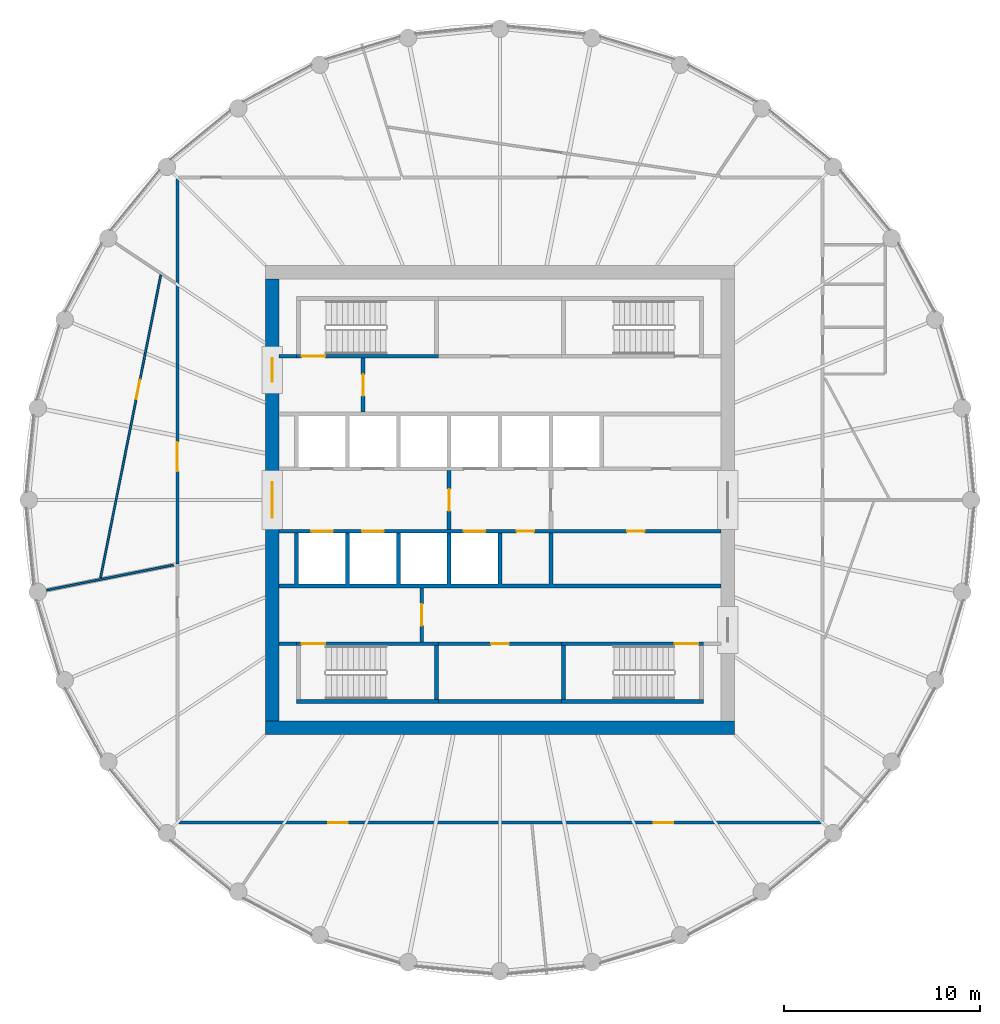
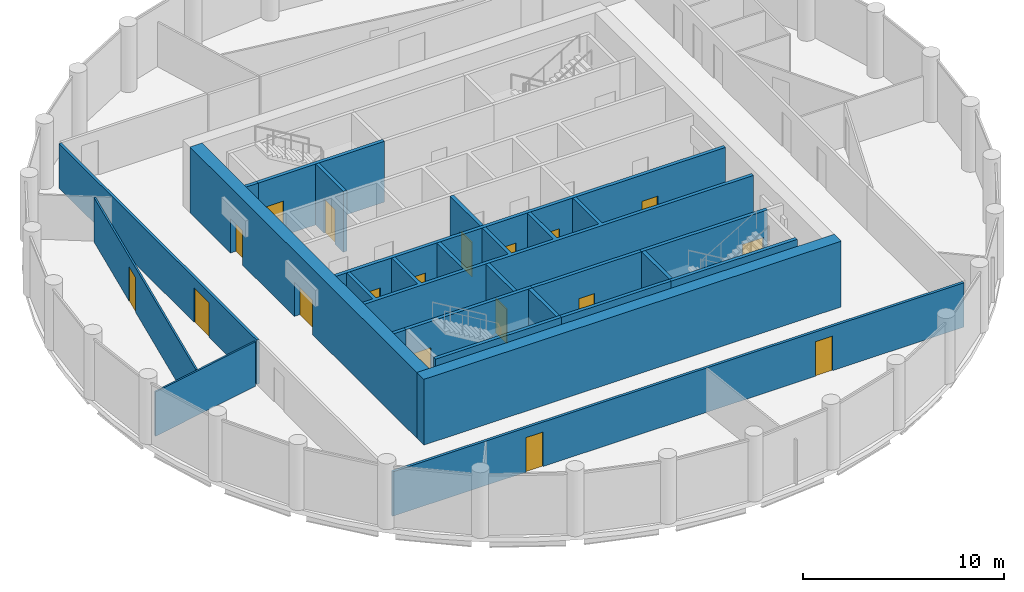
# One storey, part 4 of 7: 22 walls, 18 doors, 18 openings.
"""IFC4 building model written with IfcOpenShell, lengths in metres."""

import ifcopenshell
import ifcopenshell.guid

model = None  # the IFC model being written
_history = None  # IfcOwnerHistory: only IFC2X3 demands one
_inside = {}  # id of a spatial element -> (the spatial element, [elements in it])
_under = {}  # id of a project, library or spatial element -> (it, [spatial elements below it])
_declared = {}  # id of a project -> (the project, [libraries it declares])
_typed = {}  # id of a type object -> (the type object, [elements of that type])
_made_of = {}  # id of a material, layer set ... -> (it, [elements and type objects made of it])


def new_model(schema):
    """Start an empty IFC model of exactly this schema.

    Asked for "IFC4X3", IfcOpenShell would pick the latest addendum, in which some entities
    have other attributes; the version numbers below select the first issue.
    IFC2X3 requires an IfcOwnerHistory on every rooted entity: one is made here for all.
    """
    global model, _history
    if schema == "IFC4X3":
        model = ifcopenshell.file(schema_version=(4, 3, 0, 0))
    else:
        model = ifcopenshell.file(schema=schema)
    _inside.clear()
    _under.clear()
    _declared.clear()
    _typed.clear()
    _made_of.clear()
    _history = None
    if model.schema == "IFC2X3":
        org = make("IfcOrganization", Name="unknown")
        user = make(
            "IfcPersonAndOrganization",
            ThePerson=make("IfcPerson", FamilyName="unknown"),
            TheOrganization=org,
        )
        app = make(
            "IfcApplication",
            ApplicationDeveloper=org,
            Version="unknown",
            ApplicationFullName="unknown",
            ApplicationIdentifier="unknown",
        )
        _history = make(
            "IfcOwnerHistory",
            OwningUser=user,
            OwningApplication=app,
            ChangeAction="ADDED",
            CreationDate=0,
        )
    return model


def make(cls, **values):
    """One entity of the class cls with the attributes given. An attribute that is None is left unset."""
    return model.create_entity(
        cls, **{name: value for name, value in values.items() if value is not None}
    )


def rooted(cls, **values):
    """An entity with a GlobalId (a new one), such as an element, a storey or a relation."""
    return make(cls, GlobalId=ifcopenshell.guid.new(), OwnerHistory=_history, **values)


def si_unit(unit_type, name, prefix=None):
    """IfcSIUnit, for example si_unit("LENGTHUNIT", "METRE", prefix="MILLI")."""
    return make("IfcSIUnit", UnitType=unit_type, Prefix=prefix, Name=name)


def assignment(units):
    """IfcUnitAssignment: the units of a project."""
    return None if units is None else make("IfcUnitAssignment", Units=units)


def point(xyz):
    """IfcCartesianPoint."""
    return None if xyz is None else make("IfcCartesianPoint", Coordinates=xyz)


def direction(xyz):
    """IfcDirection."""
    return None if xyz is None else make("IfcDirection", DirectionRatios=xyz)


def frame(location, z_axis=None, x_axis=None):
    """IfcAxis2Placement3D, a coordinate frame: its origin and axes. An axis left out is left unset."""
    return make(
        "IfcAxis2Placement3D",
        Location=point(location),
        Axis=direction(z_axis),
        RefDirection=direction(x_axis),
    )


def frame_2d(location, x_axis=None):
    """IfcAxis2Placement2D, a coordinate frame in the plane: its origin and x axis."""
    return make(
        "IfcAxis2Placement2D", Location=point(location), RefDirection=direction(x_axis)
    )


def origin():
    """The frame at (0, 0, 0) with its axes left unset."""
    return frame((0.0, 0.0, 0.0))


def place(relative_to, where):
    """IfcLocalPlacement: puts the frame where relative to a parent placement (None: the world)."""
    return make(
        "IfcLocalPlacement", PlacementRelTo=relative_to, RelativePlacement=where
    )


def context(
    kind, dimensions, precision=None, world=None, true_north=None, identifier=None
):
    """IfcGeometricRepresentationContext, for example the 3D "Model" context."""
    return make(
        "IfcGeometricRepresentationContext",
        ContextIdentifier=identifier,
        ContextType=kind,
        CoordinateSpaceDimension=dimensions,
        Precision=precision,
        WorldCoordinateSystem=world,
        TrueNorth=true_north,
    )


def subcontext(parent, identifier, kind, view, scale=None):
    """IfcGeometricRepresentationSubContext, for example "Body" below "Model"."""
    return make(
        "IfcGeometricRepresentationSubContext",
        ContextIdentifier=identifier,
        ContextType=kind,
        ParentContext=parent,
        TargetScale=scale,
        TargetView=view,
    )


def project(units=None, contexts=None):
    """IfcProject with its units and contexts."""
    return rooted(
        "IfcProject",
        Name="project",
        RepresentationContexts=contexts,
        UnitsInContext=assignment(units),
    )


def spatial(cls, under=None, at=None, **own):
    """A site, building, storey or space (cls), placed at a placement, below another one or the project."""
    s = rooted(cls, ObjectPlacement=at, **own)
    if under is not None:
        _under.setdefault(under.id(), (under, []))[1].append(s)
    return s


def polyline(points):
    """IfcPolyline through the points."""
    return make("IfcPolyline", Points=[point(p) for p in points])


def profile(cls, at=None, kind="AREA", **sizes):
    """A parametric profile (cls). Its sizes go by their IFC names, for example OverallWidth=200.0."""
    return make(cls, ProfileType=kind, Position=at, **sizes)


def rectangle(**sizes):
    """IfcRectangleProfileDef."""
    return profile("IfcRectangleProfileDef", **sizes)


def outline(outer, holes=None, kind="AREA"):
    """IfcArbitraryClosedProfileDef: a profile drawn as a closed curve; with holes, ...WithVoids."""
    if holes is None:
        return make("IfcArbitraryClosedProfileDef", ProfileType=kind, OuterCurve=outer)
    return make(
        "IfcArbitraryProfileDefWithVoids",
        ProfileType=kind,
        OuterCurve=outer,
        InnerCurves=holes,
    )


def extrude(swept, where, along, depth):
    """IfcExtrudedAreaSolid: the profile swept, set in the frame where, extruded along a direction by depth."""
    return make(
        "IfcExtrudedAreaSolid",
        SweptArea=swept,
        Position=where,
        ExtrudedDirection=direction(along),
        Depth=depth,
    )


def shape(context_of_items, identifier, shape_type, items):
    """IfcShapeRepresentation: the items that make up one representation, for example the "Body"."""
    return make(
        "IfcShapeRepresentation",
        ContextOfItems=context_of_items,
        RepresentationIdentifier=identifier,
        RepresentationType=shape_type,
        Items=items,
    )


def material(Name=None, Category=None):
    """IfcMaterial."""
    return make("IfcMaterial", Name=Name, Category=Category)


def layer(
    of_material, thickness, ventilated=None, Name=None, Category=None, Priority=None
):
    """IfcMaterialLayer: one layer of a wall or slab, of a material (None: an air gap)."""
    return make(
        "IfcMaterialLayer",
        Material=of_material,
        LayerThickness=thickness,
        IsVentilated=ventilated,
        Name=Name,
        Category=Category,
        Priority=Priority,
    )


def layer_set(layers, Name=None):
    """IfcMaterialLayerSet."""
    return make("IfcMaterialLayerSet", MaterialLayers=layers, LayerSetName=Name)


def made_of(thing, what):
    """Note that an element or type object is made of a material, layer set ...; save() writes the relation."""
    if what is not None:
        _made_of.setdefault(what.id(), (what, []))[1].append(thing)
    return thing


def type_object(cls, material=None, **own):
    """A type object (cls), such as IfcWallType, which elements share."""
    return made_of(rooted(cls, **own), material)


def element(
    cls,
    number,
    at=None,
    inside=None,
    cuts=None,
    type_object=None,
    material=None,
    context=None,
    identifier="Body",
    shape_type=None,
    held_by="IfcProductDefinitionShape",
    body=None,
    shapes=None,
    **own,
):
    """One element of the class cls, such as IfcWall. Its Tag is "e" and its number.

    at: its placement. inside: the storey or other place that contains it. cuts: it is an
    opening in that element (IfcRelVoidsElement). A single representation is given by context,
    identifier, shape_type and body (its items); several are given by shapes. held_by: the class
    of the entity that holds the representations. save() writes the other relations.
    """
    e = rooted(cls, Tag="e%d" % number, ObjectPlacement=at, **own)
    if body is not None:
        shapes = [shape(context, identifier, shape_type, body)]
    if shapes is not None:
        e.Representation = make(held_by, Representations=shapes)
    if inside is not None:
        _inside.setdefault(inside.id(), (inside, []))[1].append(e)
    if cuts is not None:
        rooted(
            "IfcRelVoidsElement", RelatingBuildingElement=cuts, RelatedOpeningElement=e
        )
    if type_object is not None:
        _typed.setdefault(type_object.id(), (type_object, []))[1].append(e)
    return made_of(e, material)


def fill(opening, filler):
    """IfcRelFillsElement: the door or window that sits in an opening."""
    return rooted(
        "IfcRelFillsElement",
        RelatingOpeningElement=opening,
        RelatedBuildingElement=filler,
    )


def aggregate(whole, parts):
    """IfcRelAggregates: a whole, such as a stair, and the parts it consists of."""
    return rooted("IfcRelAggregates", RelatingObject=whole, RelatedObjects=parts)


def save(model, path):
    """Write the relations noted so far, then the file.

    IfcRelAggregates (storeys below a building ...), IfcRelContainedInSpatialStructure (elements
    in a storey), IfcRelDefinesByType, IfcRelAssociatesMaterial and IfcRelDeclares: one each for
    every whole, place, type object, material and project.
    """
    for whole, parts in _under.values():
        aggregate(whole, parts)
    for where, things in _inside.values():
        rooted(
            "IfcRelContainedInSpatialStructure",
            RelatedElements=things,
            RelatingStructure=where,
        )
    for kind, things in _typed.values():
        rooted("IfcRelDefinesByType", RelatedObjects=things, RelatingType=kind)
    for what, things in _made_of.values():
        rooted("IfcRelAssociatesMaterial", RelatedObjects=things, RelatingMaterial=what)
    for by, libraries in _declared.values():
        rooted("IfcRelDeclares", RelatingContext=by, RelatedDefinitions=libraries)
    model.write(path)


model = new_model("IFC4")

# Units and contexts
model_context = context("Model", 3, precision=1e-05, world=origin(), true_north=direction((0.0, 1.0)))
body_context = subcontext(model_context, "Body", "Model", "MODEL_VIEW")
ifc_project = project(units=[si_unit("LENGTHUNIT", "METRE"), si_unit("AREAUNIT", "SQUARE_METRE"), si_unit("VOLUMEUNIT", "CUBIC_METRE"), si_unit("PLANEANGLEUNIT", "RADIAN"), si_unit("MASSUNIT", "GRAM", prefix="KILO")], contexts=[model_context])

# Site, building, storey
site_placement = place(None, origin())
site = spatial("IfcSite", under=ifc_project, at=site_placement, CompositionType="ELEMENT")
building_placement = place(site_placement, origin())
building = spatial("IfcBuilding", under=site, at=building_placement, Name="Corvane Civic Tower", CompositionType="ELEMENT")
storey_placement = place(building_placement, frame((0.0, 0.0, 287.0)))
storey = spatial("IfcBuildingStorey", under=building, at=storey_placement, Name="L68", CompositionType="ELEMENT", Elevation=287.0)

# Wall
ifc_material_1 = material(Name="Concrete C40/50", Category="concrete")
ifc_layer_1 = layer(ifc_material_1, 0.699951171875)
ifc_layer_set_1 = layer_set([ifc_layer_1], Name="Concrete C40/50")
wall_type_1 = type_object("IfcWallType", Name="CORE WALL 700 C40/50", PredefinedType="SHEAR", material=ifc_layer_set_1)
wall_1_placement = place(storey_placement, frame((-12.0, -11.64990234375, 0.0), z_axis=(0.0, 0.0, 1.0), x_axis=(1.0, 0.0, 0.0)))
element("IfcWall", 1, at=wall_1_placement, inside=storey, type_object=wall_type_1, Name="W-L68-core-S", PredefinedType="SHEAR", context=body_context, shape_type="SweptSolid", body=[
    extrude(rectangle(XDim=24.0, YDim=0.699951171875, at=frame_2d((12.0, 0.0))), origin(), (0.0, 0.0, 1.0), 4.0),
])

# Wall, openings, doors
wall_2_placement = place(storey_placement, frame((-11.64990234375, -11.300048828125, 0.0), z_axis=(0.0, 0.0, 1.0), x_axis=(0.0, 1.0, 0.0)))
wall_2 = element("IfcWall", 2, at=wall_2_placement, inside=storey, type_object=wall_type_1, Name="W-L68-core-W", PredefinedType="SHEAR", context=body_context, shape_type="SweptSolid", body=[
    extrude(rectangle(XDim=22.60009765625, YDim=0.699951171875, at=frame_2d((11.300048828125, 0.0))), origin(), (0.0, 0.0, 1.0), 4.0),
])
opening_1_placement = place(wall_2_placement, frame((10.39990234375, 0.0, 0.0)))
opening_1 = element("IfcOpeningElement", 3, at=opening_1_placement, cuts=wall_2, Name="Opening L68.C14", PredefinedType="OPENING", context=body_context, shape_type="SweptSolid", body=[
    extrude(rectangle(XDim=1.800048828125, YDim=2.10009765625, at=frame_2d((0.89990234375, 1.050048828125))), frame((0.0, 0.35986328125, 0.0), z_axis=(0.0, -1.0, 0.0), x_axis=(1.0, 0.0, 0.0)), (0.0, 0.0, 1.0), 0.719970703125),
])
opening_2_placement = place(wall_2_placement, frame((17.35009765625, 0.0, 0.0)))
opening_2 = element("IfcOpeningElement", 4, at=opening_2_placement, cuts=wall_2, Name="Opening L68.C16", PredefinedType="OPENING", context=body_context, shape_type="SweptSolid", body=[
    extrude(rectangle(XDim=1.199951171875, YDim=2.10009765625, at=frame_2d((0.60009765625, 1.050048828125))), frame((0.0, 0.35986328125, 0.0), z_axis=(0.0, -1.0, 0.0), x_axis=(1.0, 0.0, 0.0)), (0.0, 0.0, 1.0), 0.719970703125),
])
ifc_material_2 = material(Name="Steel fire door leaf", Category="steel")
door_type_1 = type_object("IfcDoorType", Name="CR-DOOR-CORE-1800", OperationType="DOUBLE_DOOR_SINGLE_SWING", PredefinedType="DOOR", material=ifc_material_2)
door_1_placement = place(opening_1_placement, origin())
door_1 = element("IfcDoor", 5, at=door_1_placement, inside=storey, type_object=door_type_1, Name="L68 door", OperationType="DOUBLE_DOOR_SINGLE_SWING", OverallHeight=2.10009765625, OverallWidth=1.800048828125, PredefinedType="DOOR", context=body_context, shape_type="SweptSolid", body=[
    extrude(rectangle(XDim=1.800048828125, YDim=2.10009765625, at=frame_2d((0.89990234375, 1.050048828125))), frame((0.0, 0.02490234375, 0.0), z_axis=(0.0, -1.0, 0.0), x_axis=(1.0, 0.0, 0.0)), (0.0, 0.0, 1.0), 0.050048828125),
])
fill(opening_1, door_1)
door_2_placement = place(opening_2_placement, origin())
door_2 = element("IfcDoor", 6, at=door_2_placement, inside=storey, type_object=door_type_1, Name="L68 door", OperationType="DOUBLE_DOOR_SINGLE_SWING", OverallHeight=2.10009765625, OverallWidth=1.199951171875, PredefinedType="DOOR", context=body_context, shape_type="SweptSolid", body=[
    extrude(rectangle(XDim=1.199951171875, YDim=2.10009765625, at=frame_2d((0.60009765625, 1.050048828125))), frame((0.0, 0.02490234375, 0.0), z_axis=(0.0, -1.0, 0.0), x_axis=(1.0, 0.0, 0.0)), (0.0, 0.0, 1.0), 0.050048828125),
])
fill(opening_2, door_2)

# Wall, opening, door
ifc_material_3 = material(Name="Concrete C30/37", Category="concrete")
ifc_layer_2 = layer(ifc_material_3, 0.199951171875)
ifc_layer_set_2 = layer_set([ifc_layer_2], Name="Concrete C30/37")
wall_type_2 = type_object("IfcWallType", Name="CR-WALL-200", PredefinedType="PARTITIONING", material=ifc_layer_set_2)
wall_3_placement = place(storey_placement, frame((-3.14990234375, -7.35009765625, 0.0), z_axis=(0.0, 0.0, 1.0), x_axis=(1.0, 0.0, 0.0)))
wall_3 = element("IfcWall", 7, at=wall_3_placement, inside=storey, type_object=wall_type_2, Name="L68 core partition wall", PredefinedType="PARTITIONING", context=body_context, shape_type="SweptSolid", body=[
    extrude(rectangle(XDim=6.2998046875, YDim=0.199951171875, at=frame_2d((3.14990234375, 0.0))), origin(), (0.0, 0.0, 1.0), 3.699951171875),
])
opening_3_placement = place(wall_3_placement, frame((2.699951171875, 0.0, 0.0)))
opening_3 = element("IfcOpeningElement", 8, at=opening_3_placement, cuts=wall_3, Name="Opening L68.C05", PredefinedType="OPENING", context=body_context, shape_type="SweptSolid", body=[
    extrude(rectangle(XDim=0.89990234375, YDim=2.10009765625, at=frame_2d((0.449951171875, 1.050048828125))), frame((0.0, 0.10986328125, 0.0), z_axis=(0.0, -1.0, 0.0), x_axis=(1.0, 0.0, 0.0)), (0.0, 0.0, 1.0), 0.219970703125),
])
ifc_material_4 = material(Name="Steel fire door leaf", Category="steel")
door_type_2 = type_object("IfcDoorType", Name="CR-DOOR-900", OperationType="SINGLE_SWING_LEFT", PredefinedType="DOOR", material=ifc_material_4)
door_3_placement = place(opening_3_placement, origin())
door_3 = element("IfcDoor", 9, at=door_3_placement, inside=storey, type_object=door_type_2, Name="L68 door", OperationType="SINGLE_SWING_LEFT", OverallHeight=2.10009765625, OverallWidth=0.89990234375, PredefinedType="DOOR", context=body_context, shape_type="SweptSolid", body=[
    extrude(rectangle(XDim=0.89990234375, YDim=2.10009765625, at=frame_2d((0.449951171875, 1.050048828125))), frame((0.0, 0.02490234375, 0.0), z_axis=(0.0, -1.0, 0.0), x_axis=(1.0, 0.0, 0.0)), (0.0, 0.0, 1.0), 0.050048828125),
])
fill(opening_3, door_3)

# Wall, openings, doors
wall_4_placement = place(storey_placement, frame((-11.300048828125, -1.60009765625, 0.0), z_axis=(0.0, 0.0, 1.0), x_axis=(1.0, 0.0, 0.0)))
wall_4 = element("IfcWall", 10, at=wall_4_placement, inside=storey, type_object=wall_type_2, Name="L68 lift shaft wall", PredefinedType="PARTITIONING", context=body_context, shape_type="SweptSolid", body=[
    extrude(rectangle(XDim=22.60009765625, YDim=0.199951171875, at=frame_2d((11.300048828125, 0.0))), origin(), (0.0, 0.0, 1.0), 3.699951171875),
])
opening_4_placement = place(wall_4_placement, frame((1.64990234375, 0.0, 0.0)))
opening_4 = element("IfcOpeningElement", 11, at=opening_4_placement, cuts=wall_4, Name="Opening LD", PredefinedType="OPENING", context=body_context, shape_type="SweptSolid", body=[
    extrude(rectangle(XDim=1.10009765625, YDim=2.10009765625, at=frame_2d((0.550048828125, 1.050048828125))), frame((0.0, 0.10986328125, 0.0), z_axis=(0.0, -1.0, 0.0), x_axis=(1.0, 0.0, 0.0)), (0.0, 0.0, 1.0), 0.219970703125),
])
opening_5_placement = place(wall_4_placement, frame((4.25, 0.0, 0.0)))
opening_5 = element("IfcOpeningElement", 12, at=opening_5_placement, cuts=wall_4, Name="Opening LD", PredefinedType="OPENING", context=body_context, shape_type="SweptSolid", body=[
    extrude(rectangle(XDim=1.10009765625, YDim=2.10009765625, at=frame_2d((0.550048828125, 1.050048828125))), frame((0.0, 0.10986328125, 0.0), z_axis=(0.0, -1.0, 0.0), x_axis=(1.0, 0.0, 0.0)), (0.0, 0.0, 1.0), 0.219970703125),
])
opening_6_placement = place(wall_4_placement, frame((9.449951171875, 0.0, 0.0)))
opening_6 = element("IfcOpeningElement", 13, at=opening_6_placement, cuts=wall_4, Name="Opening LD", PredefinedType="OPENING", context=body_context, shape_type="SweptSolid", body=[
    extrude(rectangle(XDim=1.10009765625, YDim=2.10009765625, at=frame_2d((0.550048828125, 1.050048828125))), frame((0.0, 0.10986328125, 0.0), z_axis=(0.0, -1.0, 0.0), x_axis=(1.0, 0.0, 0.0)), (0.0, 0.0, 1.0), 0.219970703125),
])
opening_7_placement = place(wall_4_placement, frame((12.14990234375, 0.0, 0.0)))
opening_7 = element("IfcOpeningElement", 14, at=opening_7_placement, cuts=wall_4, Name="Opening L68.C02", PredefinedType="OPENING", context=body_context, shape_type="SweptSolid", body=[
    extrude(rectangle(XDim=0.89990234375, YDim=2.10009765625, at=frame_2d((0.449951171875, 1.050048828125))), frame((0.0, 0.10986328125, 0.0), z_axis=(0.0, -1.0, 0.0), x_axis=(1.0, 0.0, 0.0)), (0.0, 0.0, 1.0), 0.219970703125),
])
opening_8_placement = place(wall_4_placement, frame((17.800048828125, 0.0, 0.0)))
opening_8 = element("IfcOpeningElement", 15, at=opening_8_placement, cuts=wall_4, Name="Opening L68.C03", PredefinedType="OPENING", context=body_context, shape_type="SweptSolid", body=[
    extrude(rectangle(XDim=0.89990234375, YDim=2.10009765625, at=frame_2d((0.449951171875, 1.050048828125))), frame((0.0, 0.10986328125, 0.0), z_axis=(0.0, -1.0, 0.0), x_axis=(1.0, 0.0, 0.0)), (0.0, 0.0, 1.0), 0.219970703125),
])
door_4_placement = place(opening_7_placement, origin())
door_4 = element("IfcDoor", 16, at=door_4_placement, inside=storey, type_object=door_type_2, Name="L68 door", OperationType="SINGLE_SWING_LEFT", OverallHeight=2.10009765625, OverallWidth=0.89990234375, PredefinedType="DOOR", context=body_context, shape_type="SweptSolid", body=[
    extrude(rectangle(XDim=0.89990234375, YDim=2.10009765625, at=frame_2d((0.449951171875, 1.050048828125))), frame((0.0, 0.02490234375, 0.0), z_axis=(0.0, -1.0, 0.0), x_axis=(1.0, 0.0, 0.0)), (0.0, 0.0, 1.0), 0.050048828125),
])
fill(opening_7, door_4)
door_5_placement = place(opening_8_placement, origin())
door_5 = element("IfcDoor", 17, at=door_5_placement, inside=storey, type_object=door_type_2, Name="L68 door", OperationType="SINGLE_SWING_LEFT", OverallHeight=2.10009765625, OverallWidth=0.89990234375, PredefinedType="DOOR", context=body_context, shape_type="SweptSolid", body=[
    extrude(rectangle(XDim=0.89990234375, YDim=2.10009765625, at=frame_2d((0.449951171875, 1.050048828125))), frame((0.0, 0.02490234375, 0.0), z_axis=(0.0, -1.0, 0.0), x_axis=(1.0, 0.0, 0.0)), (0.0, 0.0, 1.0), 0.050048828125),
])
fill(opening_8, door_5)
ifc_material_5 = material(Name="Stainless steel 316 door leaves", Category="steel")
door_type_3 = type_object("IfcDoorType", Name="LD", OperationType="DOUBLE_DOOR_SLIDING", PredefinedType="DOOR", material=ifc_material_5)
door_6_placement = place(opening_4_placement, origin())
door_6 = element("IfcDoor", 18, at=door_6_placement, inside=storey, type_object=door_type_3, Name="L68 landing door", OperationType="DOUBLE_DOOR_SLIDING", OverallHeight=2.10009765625, OverallWidth=1.10009765625, PredefinedType="DOOR", context=body_context, shape_type="SweptSolid", body=[
    extrude(rectangle(XDim=1.10009765625, YDim=2.10009765625, at=frame_2d((0.550048828125, 1.050048828125))), frame((0.0, 0.02490234375, 0.0), z_axis=(0.0, -1.0, 0.0), x_axis=(1.0, 0.0, 0.0)), (0.0, 0.0, 1.0), 0.050048828125),
])
fill(opening_4, door_6)
door_7_placement = place(opening_5_placement, origin())
door_7 = element("IfcDoor", 19, at=door_7_placement, inside=storey, type_object=door_type_3, Name="L68 landing door", OperationType="DOUBLE_DOOR_SLIDING", OverallHeight=2.10009765625, OverallWidth=1.10009765625, PredefinedType="DOOR", context=body_context, shape_type="SweptSolid", body=[
    extrude(rectangle(XDim=1.10009765625, YDim=2.10009765625, at=frame_2d((0.550048828125, 1.050048828125))), frame((0.0, 0.02490234375, 0.0), z_axis=(0.0, -1.0, 0.0), x_axis=(1.0, 0.0, 0.0)), (0.0, 0.0, 1.0), 0.050048828125),
])
fill(opening_5, door_7)
door_8_placement = place(opening_6_placement, origin())
door_8 = element("IfcDoor", 20, at=door_8_placement, inside=storey, type_object=door_type_3, Name="L68 landing door", OperationType="DOUBLE_DOOR_SLIDING", OverallHeight=2.10009765625, OverallWidth=1.10009765625, PredefinedType="DOOR", context=body_context, shape_type="SweptSolid", body=[
    extrude(rectangle(XDim=1.10009765625, YDim=2.10009765625, at=frame_2d((0.550048828125, 1.050048828125))), frame((0.0, 0.02490234375, 0.0), z_axis=(0.0, -1.0, 0.0), x_axis=(1.0, 0.0, 0.0)), (0.0, 0.0, 1.0), 0.050048828125),
])
fill(opening_6, door_8)

# Wall, opening, door
wall_5_placement = place(storey_placement, frame((-7.0, 4.5, 0.0), z_axis=(0.0, 0.0, 1.0), x_axis=(0.0, 1.0, 0.0)))
wall_5 = element("IfcWall", 21, at=wall_5_placement, inside=storey, type_object=wall_type_2, Name="L68 core partition wall", PredefinedType="PARTITIONING", context=body_context, shape_type="SweptSolid", body=[
    extrude(rectangle(XDim=2.75, YDim=0.199951171875, at=frame_2d((1.375, 0.0))), origin(), (0.0, 0.0, 1.0), 3.699951171875),
])
opening_9_placement = place(wall_5_placement, frame((0.824951171875, 0.0, 0.0)))
opening_9 = element("IfcOpeningElement", 22, at=opening_9_placement, cuts=wall_5, Name="Opening L68.C12", PredefinedType="OPENING", context=body_context, shape_type="SweptSolid", body=[
    extrude(rectangle(XDim=1.10009765625, YDim=2.10009765625, at=frame_2d((0.550048828125, 1.050048828125))), frame((0.0, 0.10986328125, 0.0), z_axis=(0.0, -1.0, 0.0), x_axis=(1.0, 0.0, 0.0)), (0.0, 0.0, 1.0), 0.219970703125),
])
ifc_material_6 = material(Name="Steel fire door leaf", Category="steel")
door_type_4 = type_object("IfcDoorType", Name="CR-DOOR-FFL-1100", OperationType="SINGLE_SWING_LEFT", PredefinedType="DOOR", material=ifc_material_6)
door_9_placement = place(opening_9_placement, origin())
door_9 = element("IfcDoor", 23, at=door_9_placement, inside=storey, type_object=door_type_4, Name="L68 lobby door", OperationType="SINGLE_SWING_LEFT", OverallHeight=2.10009765625, OverallWidth=1.10009765625, PredefinedType="DOOR", context=body_context, shape_type="SweptSolid", body=[
    extrude(rectangle(XDim=1.10009765625, YDim=2.10009765625, at=frame_2d((0.550048828125, 1.050048828125))), frame((0.0, 0.02490234375, 0.0), z_axis=(0.0, -1.0, 0.0), x_axis=(1.0, 0.0, 0.0)), (0.0, 0.0, 1.0), 0.050048828125),
])
fill(opening_9, door_9)

wall_6_placement = place(storey_placement, frame((-4.0, -7.25, 0.0), z_axis=(0.0, 0.0, 1.0), x_axis=(0.0, 1.0, 0.0)))
wall_6 = element("IfcWall", 24, at=wall_6_placement, inside=storey, type_object=wall_type_2, Name="L68 core partition wall", PredefinedType="PARTITIONING", context=body_context, shape_type="SweptSolid", body=[
    extrude(rectangle(XDim=2.75, YDim=0.199951171875, at=frame_2d((1.375, 0.0))), origin(), (0.0, 0.0, 1.0), 3.699951171875),
])
opening_10_placement = place(wall_6_placement, frame((0.824951171875, 0.0, 0.0)))
opening_10 = element("IfcOpeningElement", 25, at=opening_10_placement, cuts=wall_6, Name="Opening L68.C13", PredefinedType="OPENING", context=body_context, shape_type="SweptSolid", body=[
    extrude(rectangle(XDim=1.10009765625, YDim=2.10009765625, at=frame_2d((0.550048828125, 1.050048828125))), frame((0.0, 0.10986328125, 0.0), z_axis=(0.0, -1.0, 0.0), x_axis=(1.0, 0.0, 0.0)), (0.0, 0.0, 1.0), 0.219970703125),
])
door_10_placement = place(opening_10_placement, origin())
door_10 = element("IfcDoor", 26, at=door_10_placement, inside=storey, type_object=door_type_4, Name="L68 lobby door", OperationType="SINGLE_SWING_LEFT", OverallHeight=2.10009765625, OverallWidth=1.10009765625, PredefinedType="DOOR", context=body_context, shape_type="SweptSolid", body=[
    extrude(rectangle(XDim=1.10009765625, YDim=2.10009765625, at=frame_2d((0.550048828125, 1.050048828125))), frame((0.0, 0.02490234375, 0.0), z_axis=(0.0, -1.0, 0.0), x_axis=(1.0, 0.0, 0.0)), (0.0, 0.0, 1.0), 0.050048828125),
])
fill(opening_10, door_10)

wall_7_placement = place(storey_placement, frame((-2.60009765625, -1.5, 0.0), z_axis=(0.0, 0.0, 1.0), x_axis=(0.0, 1.0, 0.0)))
wall_7 = element("IfcWall", 27, at=wall_7_placement, inside=storey, type_object=wall_type_2, Name="L68 firefighting lobby wall", PredefinedType="PARTITIONING", context=body_context, shape_type="SweptSolid", body=[
    extrude(rectangle(XDim=3.0, YDim=0.199951171875, at=frame_2d((1.5, 0.0))), origin(), (0.0, 0.0, 1.0), 3.699951171875),
])
opening_11_placement = place(wall_7_placement, frame((0.949951171875, 0.0, 0.0)))
opening_11 = element("IfcOpeningElement", 28, at=opening_11_placement, cuts=wall_7, Name="Opening L68.C10", PredefinedType="OPENING", context=body_context, shape_type="SweptSolid", body=[
    extrude(rectangle(XDim=1.10009765625, YDim=2.10009765625, at=frame_2d((0.550048828125, 1.050048828125))), frame((0.0, 0.10986328125, 0.0), z_axis=(0.0, -1.0, 0.0), x_axis=(1.0, 0.0, 0.0)), (0.0, 0.0, 1.0), 0.219970703125),
])
door_11_placement = place(opening_11_placement, origin())
door_11 = element("IfcDoor", 29, at=door_11_placement, inside=storey, type_object=door_type_4, Name="L68 lobby door", OperationType="SINGLE_SWING_LEFT", OverallHeight=2.10009765625, OverallWidth=1.10009765625, PredefinedType="DOOR", context=body_context, shape_type="SweptSolid", body=[
    extrude(rectangle(XDim=1.10009765625, YDim=2.10009765625, at=frame_2d((0.550048828125, 1.050048828125))), frame((0.0, 0.02490234375, 0.0), z_axis=(0.0, -1.0, 0.0), x_axis=(1.0, 0.0, 0.0)), (0.0, 0.0, 1.0), 0.050048828125),
])
fill(opening_11, door_11)

# Walls
wall_8_placement = place(storey_placement, origin())
element("IfcWall", 30, at=wall_8_placement, inside=storey, type_object=wall_type_2, Name="L68 core partition wall", PredefinedType="PARTITIONING", context=body_context, shape_type="SweptSolid", body=[
    extrude(outline(polyline([(-10.39990234375, -7.25), (-10.39990234375, -7.449951171875), (-11.300048828125, -7.449951171875), (-11.300048828125, -7.25), (-10.39990234375, -7.25)])), origin(), (0.0, 0.0, 1.0), 3.699951171875),
])
wall_9_placement = place(storey_placement, origin())
element("IfcWall", 31, at=wall_9_placement, inside=storey, type_object=wall_type_2, Name="L68 core partition wall", PredefinedType="PARTITIONING", context=body_context, shape_type="SweptSolid", body=[
    extrude(outline(polyline([(-10.39990234375, 7.25), (-11.300048828125, 7.25), (-11.300048828125, 7.449951171875), (-10.39990234375, 7.449951171875), (-10.39990234375, 7.25)])), origin(), (0.0, 0.0, 1.0), 3.699951171875),
])
wall_10_placement = place(storey_placement, origin())
element("IfcWall", 32, at=wall_10_placement, inside=storey, type_object=wall_type_2, Name="L68 core partition wall", PredefinedType="PARTITIONING", context=body_context, shape_type="SweptSolid", body=[
    extrude(outline(polyline([(-10.300048828125, -1.699951171875), (-10.300048828125, -4.300048828125), (-7.89990234375, -4.300048828125), (-7.89990234375, -1.699951171875), (-7.699951171875, -1.699951171875), (-7.699951171875, -4.300048828125), (-5.300048828125, -4.300048828125), (-5.300048828125, -1.699951171875), (-5.10009765625, -1.699951171875), (-5.10009765625, -4.300048828125), (-2.699951171875, -4.300048828125), (-2.699951171875, -1.699951171875), (-2.5, -1.699951171875), (-2.5, -4.300048828125), (-0.10009765625, -4.300048828125), (-0.10009765625, -1.699951171875), (0.10009765625, -1.699951171875), (0.10009765625, -4.300048828125), (2.5, -4.300048828125), (2.5, -1.699951171875), (2.699951171875, -1.699951171875), (2.699951171875, -4.300048828125), (11.300048828125, -4.300048828125), (11.300048828125, -4.5), (-11.300048828125, -4.5), (-11.300048828125, -4.300048828125), (-10.5, -4.300048828125), (-10.5, -1.699951171875), (-10.300048828125, -1.699951171875)])), origin(), (0.0, 0.0, 1.0), 3.699951171875),
])
wall_11_placement = place(storey_placement, origin())
element("IfcWall", 33, at=wall_11_placement, inside=storey, type_object=wall_type_2, Name="L68 core partition wall", PredefinedType="PARTITIONING", context=body_context, shape_type="SweptSolid", body=[
    extrude(outline(polyline([(3.14990234375, -10.199951171875), (3.14990234375, -10.39990234375), (-3.14990234375, -10.39990234375), (-3.14990234375, -10.199951171875), (3.14990234375, -10.199951171875)])), origin(), (0.0, 0.0, 1.0), 3.699951171875),
])
ifc_material_7 = material(Name="Plasterboard")
ifc_layer_3 = layer(ifc_material_7, 0.10009765625)
ifc_layer_set_3 = layer_set([ifc_layer_3], Name="Plasterboard")
wall_type_3 = type_object("IfcWallType", Name="Partition 100 plasterboard on studs", PredefinedType="PARTITIONING", material=ifc_layer_set_3)
wall_12_placement = place(storey_placement, frame((-23.185791015625, -4.61181640625, 0.0), z_axis=(0.0, 0.0, 1.0), x_axis=(0.980788963847, 0.195071803181, 0.0)))
element("IfcWall", 34, at=wall_12_placement, inside=storey, type_object=wall_type_3, Name="Partition L68.009", PredefinedType="PARTITIONING", context=body_context, shape_type="SweptSolid", body=[
    extrude(rectangle(XDim=6.609375, YDim=0.10009765625, at=frame_2d((3.3046875, 0.0))), origin(), (0.0, 0.0, 1.0), 2.699951171875),
])

# Wall, opening, door
wall_13_placement = place(storey_placement, frame((-20.430908203125, -3.993408203125, 0.0), z_axis=(0.0, 0.0, 1.0), x_axis=(0.195094157793, 0.980784517412, 0.0)))
wall_13 = element("IfcWall", 35, at=wall_13_placement, inside=storey, type_object=wall_type_3, Name="Partition L68.010", PredefinedType="PARTITIONING", context=body_context, shape_type="SweptSolid", body=[
    extrude(rectangle(XDim=15.80517578125, YDim=0.10009765625, at=frame_2d((7.902587890625, 0.0))), origin(), (0.0, 0.0, 1.0), 2.699951171875),
])
opening_12_placement = place(wall_13_placement, frame((9.340576171875, 0.0, 0.0)))
opening_12 = element("IfcOpeningElement", 36, at=opening_12_placement, cuts=wall_13, Name="Opening L68.011", PredefinedType="OPENING", context=body_context, shape_type="SweptSolid", body=[
    extrude(rectangle(XDim=1.0, YDim=2.10009765625, at=frame_2d((0.5, 1.050048828125))), frame((0.0, 0.06005859375, 0.0), z_axis=(0.0, -1.0, 0.0), x_axis=(1.0, 0.0, 0.0)), (0.0, 0.0, 1.0), 0.1201171875),
])
ifc_material_8 = material(Name="Timber", Category="wood")
door_type_5 = type_object("IfcDoorType", Name="Single door 1000", OperationType="NOTDEFINED", PredefinedType="DOOR", material=ifc_material_8)
door_12_placement = place(opening_12_placement, origin())
door_12 = element("IfcDoor", 37, at=door_12_placement, inside=storey, type_object=door_type_5, Name="Door L68.011", OperationType="SINGLE_SWING_LEFT", OverallHeight=2.10009765625, OverallWidth=1.0, PredefinedType="DOOR", context=body_context, shape_type="SweptSolid", body=[
    extrude(rectangle(XDim=1.0, YDim=2.10009765625, at=frame_2d((0.5, 1.050048828125))), frame((0.0, 0.02490234375, 0.0), z_axis=(0.0, -1.0, 0.0), x_axis=(1.0, 0.0, 0.0)), (0.0, 0.0, 1.0), 0.050048828125),
])
fill(opening_12, door_12)

ifc_material_9 = material(Name="Concrete C50/60", Category="concrete")
ifc_layer_4 = layer(ifc_material_9, 0.199951171875)
ifc_layer_set_4 = layer_set([ifc_layer_4], Name="Concrete C50/60")
wall_type_4 = type_object("IfcWallType", Name="ST-WALL-200", PredefinedType="SHEAR", material=ifc_layer_set_4)
wall_14_placement = place(storey_placement, frame((-10.39990234375, -7.35009765625, 0.0), z_axis=(0.0, 0.0, 1.0), x_axis=(1.0, 0.0, 0.0)))
wall_14 = element("IfcWall", 38, at=wall_14_placement, inside=storey, type_object=wall_type_4, Name="L68 stair enclosure wall", PredefinedType="SHEAR", context=body_context, shape_type="SweptSolid", body=[
    extrude(rectangle(XDim=7.25, YDim=0.199951171875, at=frame_2d((3.625, 0.0))), origin(), (0.0, 0.0, 1.0), 3.699951171875),
])
opening_13_placement = place(wall_14_placement, frame((0.25, 0.0, 0.0)))
opening_13 = element("IfcOpeningElement", 39, at=opening_13_placement, cuts=wall_14, Name="Opening L68.C09", PredefinedType="OPENING", context=body_context, shape_type="SweptSolid", body=[
    extrude(rectangle(XDim=1.199951171875, YDim=2.10009765625, at=frame_2d((0.60009765625, 1.050048828125))), frame((0.0, 0.10986328125, 0.0), z_axis=(0.0, -1.0, 0.0), x_axis=(1.0, 0.0, 0.0)), (0.0, 0.0, 1.0), 0.219970703125),
])
ifc_material_10 = material(Name="Steel fire door leaf", Category="steel")
door_type_6 = type_object("IfcDoorType", Name="ST-DOOR-1200", OperationType="SINGLE_SWING_RIGHT", PredefinedType="DOOR", material=ifc_material_10)
door_13_placement = place(opening_13_placement, origin())
door_13 = element("IfcDoor", 40, at=door_13_placement, inside=storey, type_object=door_type_6, Name="L68 stair door", OperationType="SINGLE_SWING_RIGHT", OverallHeight=2.10009765625, OverallWidth=1.199951171875, PredefinedType="DOOR", context=body_context, shape_type="SweptSolid", body=[
    extrude(rectangle(XDim=1.199951171875, YDim=2.10009765625, at=frame_2d((0.60009765625, 1.050048828125))), frame((0.0, 0.02490234375, 0.0), z_axis=(0.0, -1.0, 0.0), x_axis=(1.0, 0.0, 0.0)), (0.0, 0.0, 1.0), 0.050048828125),
])
fill(opening_13, door_13)

wall_15_placement = place(storey_placement, frame((3.14990234375, -7.35009765625, 0.0), z_axis=(0.0, 0.0, 1.0), x_axis=(1.0, 0.0, 0.0)))
wall_15 = element("IfcWall", 41, at=wall_15_placement, inside=storey, type_object=wall_type_4, Name="L68 stair enclosure wall", PredefinedType="SHEAR", context=body_context, shape_type="SweptSolid", body=[
    extrude(rectangle(XDim=7.25, YDim=0.199951171875, at=frame_2d((3.625, 0.0))), origin(), (0.0, 0.0, 1.0), 3.699951171875),
])
opening_14_placement = place(wall_15_placement, frame((5.800048828125, 0.0, 0.0)))
opening_14 = element("IfcOpeningElement", 42, at=opening_14_placement, cuts=wall_15, Name="Opening L68.C08", PredefinedType="OPENING", context=body_context, shape_type="SweptSolid", body=[
    extrude(rectangle(XDim=1.199951171875, YDim=2.10009765625, at=frame_2d((0.60009765625, 1.050048828125))), frame((0.0, 0.10986328125, 0.0), z_axis=(0.0, -1.0, 0.0), x_axis=(1.0, 0.0, 0.0)), (0.0, 0.0, 1.0), 0.219970703125),
])
door_14_placement = place(opening_14_placement, origin())
door_14 = element("IfcDoor", 43, at=door_14_placement, inside=storey, type_object=door_type_6, Name="L68 stair door", OperationType="SINGLE_SWING_RIGHT", OverallHeight=2.10009765625, OverallWidth=1.199951171875, PredefinedType="DOOR", context=body_context, shape_type="SweptSolid", body=[
    extrude(rectangle(XDim=1.199951171875, YDim=2.10009765625, at=frame_2d((0.60009765625, 1.050048828125))), frame((0.0, 0.02490234375, 0.0), z_axis=(0.0, -1.0, 0.0), x_axis=(1.0, 0.0, 0.0)), (0.0, 0.0, 1.0), 0.050048828125),
])
fill(opening_14, door_14)

wall_16_placement = place(storey_placement, frame((-10.39990234375, 7.35009765625, 0.0), z_axis=(0.0, 0.0, 1.0), x_axis=(1.0, 0.0, 0.0)))
wall_16 = element("IfcWall", 44, at=wall_16_placement, inside=storey, type_object=wall_type_4, Name="L68 stair enclosure wall", PredefinedType="SHEAR", context=body_context, shape_type="SweptSolid", body=[
    extrude(rectangle(XDim=7.25, YDim=0.199951171875, at=frame_2d((3.625, 0.0))), origin(), (0.0, 0.0, 1.0), 3.699951171875),
])
opening_15_placement = place(wall_16_placement, frame((0.25, 0.0, 0.0)))
opening_15 = element("IfcOpeningElement", 45, at=opening_15_placement, cuts=wall_16, Name="Opening L68.C07", PredefinedType="OPENING", context=body_context, shape_type="SweptSolid", body=[
    extrude(rectangle(XDim=1.199951171875, YDim=2.10009765625, at=frame_2d((0.60009765625, 1.050048828125))), frame((0.0, 0.10986328125, 0.0), z_axis=(0.0, -1.0, 0.0), x_axis=(1.0, 0.0, 0.0)), (0.0, 0.0, 1.0), 0.219970703125),
])
door_15_placement = place(opening_15_placement, origin())
door_15 = element("IfcDoor", 46, at=door_15_placement, inside=storey, type_object=door_type_6, Name="L68 stair door", OperationType="SINGLE_SWING_RIGHT", OverallHeight=2.10009765625, OverallWidth=1.199951171875, PredefinedType="DOOR", context=body_context, shape_type="SweptSolid", body=[
    extrude(rectangle(XDim=1.199951171875, YDim=2.10009765625, at=frame_2d((0.60009765625, 1.050048828125))), frame((0.0, 0.02490234375, 0.0), z_axis=(0.0, -1.0, 0.0), x_axis=(1.0, 0.0, 0.0)), (0.0, 0.0, 1.0), 0.050048828125),
])
fill(opening_15, door_15)

# Walls
wall_17_placement = place(storey_placement, origin())
element("IfcWall", 47, at=wall_17_placement, inside=storey, type_object=wall_type_4, Name="L68 stair enclosure wall", PredefinedType="SHEAR", context=body_context, shape_type="SweptSolid", body=[
    extrude(outline(polyline([(-3.14990234375, -10.199951171875), (-3.14990234375, -10.39990234375), (-10.39990234375, -10.39990234375), (-10.39990234375, -10.199951171875), (-3.14990234375, -10.199951171875)])), origin(), (0.0, 0.0, 1.0), 3.699951171875),
])
wall_18_placement = place(storey_placement, origin())
element("IfcWall", 48, at=wall_18_placement, inside=storey, type_object=wall_type_4, Name="L68 stair enclosure wall", PredefinedType="SHEAR", context=body_context, shape_type="SweptSolid", body=[
    extrude(outline(polyline([(10.39990234375, -10.39990234375), (3.14990234375, -10.39990234375), (3.14990234375, -10.199951171875), (10.39990234375, -10.199951171875), (10.39990234375, -10.39990234375)])), origin(), (0.0, 0.0, 1.0), 3.699951171875),
])
wall_19_placement = place(storey_placement, origin())
element("IfcWall", 49, at=wall_19_placement, inside=storey, type_object=wall_type_4, Name="L68 stair enclosure wall", PredefinedType="SHEAR", context=body_context, shape_type="SweptSolid", body=[
    extrude(outline(polyline([(-3.14990234375, -7.449951171875), (-3.14990234375, -10.199951171875), (-3.35009765625, -10.199951171875), (-3.35009765625, -7.449951171875), (-3.14990234375, -7.449951171875)])), origin(), (0.0, 0.0, 1.0), 3.699951171875),
])
wall_20_placement = place(storey_placement, origin())
element("IfcWall", 50, at=wall_20_placement, inside=storey, type_object=wall_type_4, Name="L68 stair enclosure wall", PredefinedType="SHEAR", context=body_context, shape_type="SweptSolid", body=[
    extrude(outline(polyline([(3.35009765625, -7.449951171875), (3.35009765625, -10.199951171875), (3.14990234375, -10.199951171875), (3.14990234375, -7.449951171875), (3.35009765625, -7.449951171875)])), origin(), (0.0, 0.0, 1.0), 3.699951171875),
])

# Wall, openings, doors
ifc_material_11 = material(Name="Plasterboard")
ifc_layer_5 = layer(ifc_material_11, 0.14990234375)
ifc_layer_set_5 = layer_set([ifc_layer_5], Name="Plasterboard")
wall_type_5 = type_object("IfcWallType", Name="Tenancy wall 150 EI 60", PredefinedType="PARTITIONING", material=ifc_layer_set_5)
wall_21_placement = place(storey_placement, frame((-16.425048828125, -16.5, 0.0), z_axis=(0.0, 0.0, 1.0), x_axis=(1.0, 0.0, 0.0)))
wall_21 = element("IfcWall", 51, at=wall_21_placement, inside=storey, type_object=wall_type_5, Name="Partition L68.003", PredefinedType="PARTITIONING", context=body_context, shape_type="SweptSolid", body=[
    extrude(rectangle(XDim=32.85009765625, YDim=0.14990234375, at=frame_2d((16.425048828125, 0.0))), origin(), (0.0, 0.0, 1.0), 2.699951171875),
])
opening_16_placement = place(wall_21_placement, frame((24.291748046875, 0.0, 0.0)))
opening_16 = element("IfcOpeningElement", 52, at=opening_16_placement, cuts=wall_21, Name="Opening L68.008", PredefinedType="OPENING", context=body_context, shape_type="SweptSolid", body=[
    extrude(rectangle(XDim=1.0, YDim=2.10009765625, at=frame_2d((0.5, 1.050048828125))), frame((0.0, 0.0849609375, 0.0), z_axis=(0.0, -1.0, 0.0), x_axis=(1.0, 0.0, 0.0)), (0.0, 0.0, 1.0), 0.169921875),
])
opening_17_placement = place(wall_21_placement, frame((7.647705078125, 0.0, 0.0)))
opening_17 = element("IfcOpeningElement", 53, at=opening_17_placement, cuts=wall_21, Name="Opening L68.009", PredefinedType="OPENING", context=body_context, shape_type="SweptSolid", body=[
    extrude(rectangle(XDim=1.0, YDim=2.10009765625, at=frame_2d((0.5, 1.050048828125))), frame((0.0, 0.0849609375, 0.0), z_axis=(0.0, -1.0, 0.0), x_axis=(1.0, 0.0, 0.0)), (0.0, 0.0, 1.0), 0.169921875),
])
ifc_material_12 = material(Name="Steel and timber", Category="steel")
door_type_7 = type_object("IfcDoorType", Name="Fire door FD30S 1000", OperationType="NOTDEFINED", PredefinedType="DOOR", material=ifc_material_12)
door_16_placement = place(opening_16_placement, frame((1.0, 0.0, 0.0), z_axis=(0.0, 0.0, 1.0), x_axis=(-1.0, 0.0, 0.0)))
door_16 = element("IfcDoor", 54, at=door_16_placement, inside=storey, type_object=door_type_7, Name="Door L68.008", OperationType="SINGLE_SWING_LEFT", OverallHeight=2.10009765625, OverallWidth=1.0, PredefinedType="DOOR", context=body_context, shape_type="SweptSolid", body=[
    extrude(rectangle(XDim=1.0, YDim=2.10009765625, at=frame_2d((0.5, 1.050048828125))), frame((0.0, 0.02490234375, 0.0), z_axis=(0.0, -1.0, 0.0), x_axis=(1.0, 0.0, 0.0)), (0.0, 0.0, 1.0), 0.050048828125),
])
fill(opening_16, door_16)
door_17_placement = place(opening_17_placement, frame((1.0, 0.0, 0.0), z_axis=(0.0, 0.0, 1.0), x_axis=(-1.0, 0.0, 0.0)))
door_17 = element("IfcDoor", 55, at=door_17_placement, inside=storey, type_object=door_type_7, Name="Door L68.009", OperationType="SINGLE_SWING_LEFT", OverallHeight=2.10009765625, OverallWidth=1.0, PredefinedType="DOOR", context=body_context, shape_type="SweptSolid", body=[
    extrude(rectangle(XDim=1.0, YDim=2.10009765625, at=frame_2d((0.5, 1.050048828125))), frame((0.0, 0.02490234375, 0.0), z_axis=(0.0, -1.0, 0.0), x_axis=(1.0, 0.0, 0.0)), (0.0, 0.0, 1.0), 0.050048828125),
])
fill(opening_17, door_17)

# Wall, opening, door
wall_22_placement = place(storey_placement, frame((-16.5, -3.281982421875, 0.0), z_axis=(0.0, 0.0, 1.0), x_axis=(0.0, 1.0, 0.0)))
wall_22 = element("IfcWall", 56, at=wall_22_placement, inside=storey, type_object=wall_type_5, Name="Partition L68.011", PredefinedType="PARTITIONING", context=body_context, shape_type="SweptSolid", body=[
    extrude(rectangle(XDim=19.70703125, YDim=0.14990234375, at=frame_2d((9.853515625, 0.0))), origin(), (0.0, 0.0, 1.0), 2.699951171875),
])
opening_18_placement = place(wall_22_placement, frame((4.7412109375, 0.0, 0.0)))
opening_18 = element("IfcOpeningElement", 57, at=opening_18_placement, cuts=wall_22, Name="Opening L68.012", PredefinedType="OPENING", context=body_context, shape_type="SweptSolid", body=[
    extrude(rectangle(XDim=1.5, YDim=2.10009765625, at=frame_2d((0.75, 1.050048828125))), frame((0.0, 0.0849609375, 0.0), z_axis=(0.0, -1.0, 0.0), x_axis=(1.0, 0.0, 0.0)), (0.0, 0.0, 1.0), 0.169921875),
])
ifc_material_13 = material(Name="Steel and timber", Category="steel")
door_type_8 = type_object("IfcDoorType", Name="Fire door FD60 double 1500", OperationType="NOTDEFINED", PredefinedType="DOOR", material=ifc_material_13)
door_18_placement = place(opening_18_placement, origin())
door_18 = element("IfcDoor", 58, at=door_18_placement, inside=storey, type_object=door_type_8, Name="Door L68.012", OperationType="DOUBLE_DOOR_SINGLE_SWING", OverallHeight=2.10009765625, OverallWidth=1.5, PredefinedType="DOOR", context=body_context, shape_type="SweptSolid", body=[
    extrude(rectangle(XDim=1.5, YDim=2.10009765625, at=frame_2d((0.75, 1.050048828125))), frame((0.0, 0.02490234375, 0.0), z_axis=(0.0, -1.0, 0.0), x_axis=(1.0, 0.0, 0.0)), (0.0, 0.0, 1.0), 0.050048828125),
])
fill(opening_18, door_18)

save(model, "model.ifc")
